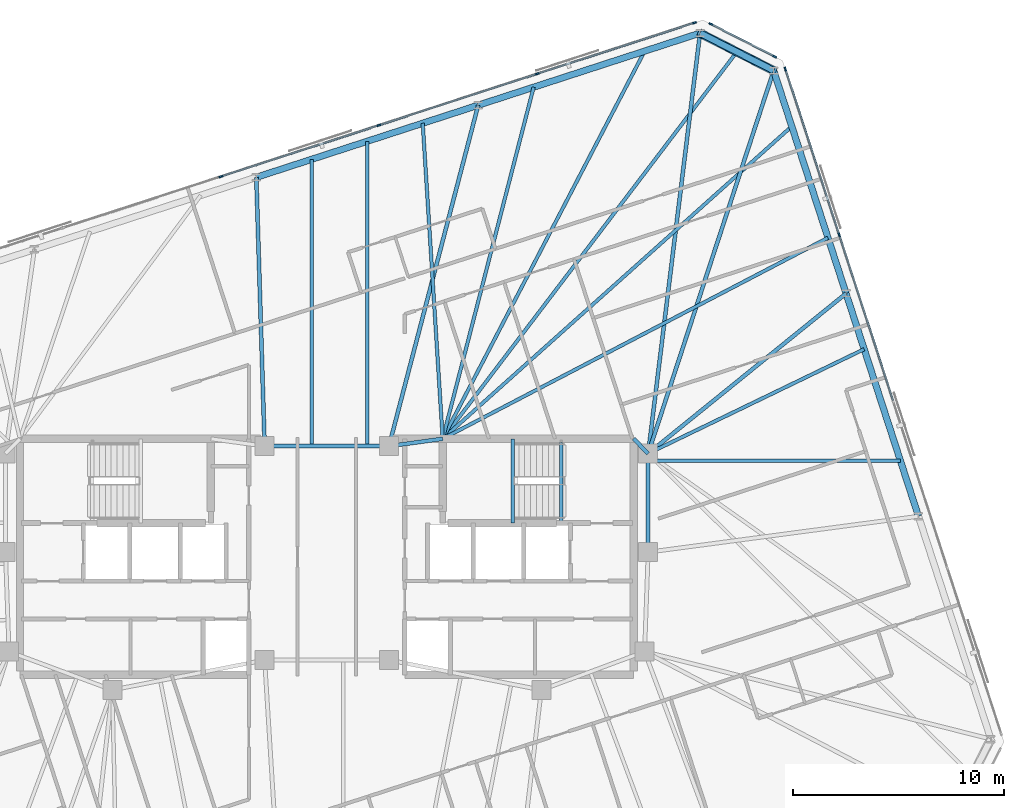
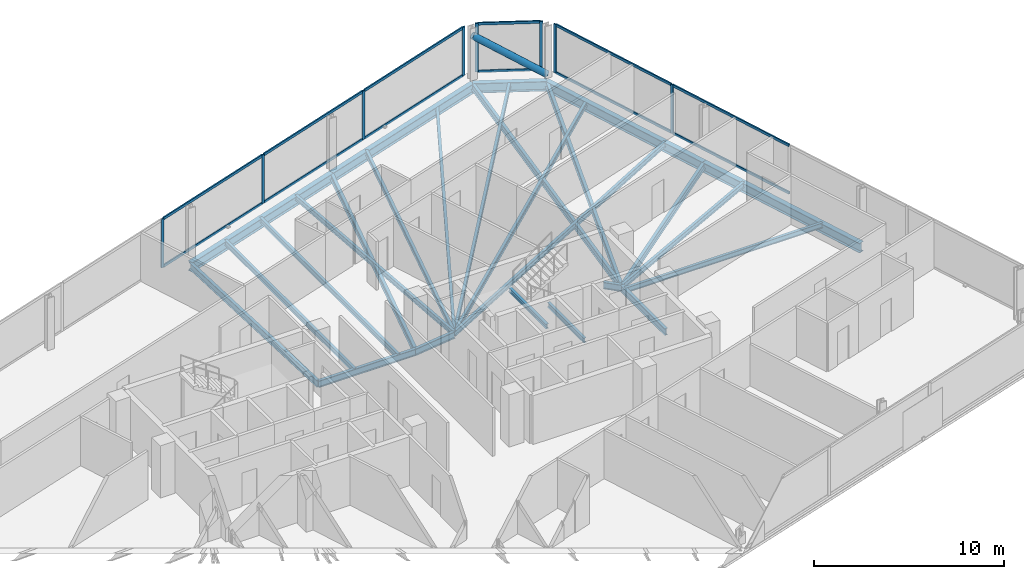
# One storey, part 10 of 19: 26 beams, 21 members, 3 elements without a shape of their own.
"""IFC4 building model written with IfcOpenShell, lengths in metres."""

from ifc_helpers import new_model, si_unit, direction, frame, origin, origin_2d, place, context, subcontext, project, spatial, rectangle, hollow_circle, i_section, extrude, material, material_profile, profile_set, type_object, element, aggregate, save


model = new_model("IFC4")

# Units and contexts
model_context = context("Model", 3, precision=1e-05, world=origin(), true_north=direction((0.0, 1.0)))
body_context = subcontext(model_context, "Body", "Model", "MODEL_VIEW")
ifc_project = project(units=[si_unit("LENGTHUNIT", "METRE"), si_unit("AREAUNIT", "SQUARE_METRE"), si_unit("VOLUMEUNIT", "CUBIC_METRE"), si_unit("PLANEANGLEUNIT", "RADIAN"), si_unit("MASSUNIT", "GRAM", prefix="KILO")], contexts=[model_context])

# Site, building, storey
site_placement = place(None, origin())
site = spatial("IfcSite", under=ifc_project, at=site_placement, CompositionType="ELEMENT")
building_placement = place(site_placement, origin())
building = spatial("IfcBuilding", under=site, at=building_placement, Name="Menara Jurai Vektor", CompositionType="ELEMENT")
storey_placement = place(building_placement, frame((0.0, 0.0, 214.25)))
storey = spatial("IfcBuildingStorey", under=building, at=storey_placement, Name="L56", CompositionType="ELEMENT", Elevation=214.25)

# Curtain wall, members
ifc_material_1 = material(Name="Anodised Pale Aluminium & Low-E Double Glazing", Category="aluminium")
curtain_wall_type = type_object("IfcCurtainWallType", Name="CW-BLK4", PredefinedType="NOTDEFINED", material=ifc_material_1)
curtain_wall_1_placement = place(storey_placement, origin())
curtain_wall_1 = element("IfcCurtainWall", 1, at=curtain_wall_1_placement, inside=storey, type_object=curtain_wall_type, Name="Unitised Curtain Wall L56 F03", PredefinedType="NOTDEFINED")
ifc_material_2 = material(Name="Anodised Pale Aluminium Mullion", Category="aluminium")
ifc_material_profile_1 = material_profile(ifc_material_2, rectangle(XDim=0.080078125, YDim=0.18994140625, at=origin_2d()), Name="ALU MUL 80x190")
ifc_profile_set_1 = profile_set([ifc_material_profile_1], Name="Anodised Pale Aluminium Mullion")
member_type_1 = type_object("IfcMemberType", Name="CW-BLK4-MUL", PredefinedType="MULLION", material=ifc_profile_set_1)
member_1_placement = place(storey_placement, frame((24.31494140625, 15.28271484375, 0.0), z_axis=(0.0, 0.0, 1.0), x_axis=(-0.95105668295, -0.309016481464, 0.0)))
member_1 = element("IfcMember", 2, at=member_1_placement, type_object=member_type_1, Name="CW-04 mullion 4", PredefinedType="MULLION", context=body_context, shape_type="SweptSolid", body=[
    extrude(rectangle(XDim=0.080078125, YDim=0.18994140625, at=origin_2d()), origin(), (0.0, 0.0, 1.0), 3.125),
])
member_2_placement = place(storey_placement, frame((21.75927734375, 23.14794921875, 0.0), z_axis=(0.0, 0.0, 1.0), x_axis=(-0.95105668295, -0.309016481464, 0.0)))
member_2 = element("IfcMember", 3, at=member_2_placement, type_object=member_type_1, Name="CW-04 mullion 5", PredefinedType="MULLION", context=body_context, shape_type="SweptSolid", body=[
    extrude(rectangle(XDim=0.080078125, YDim=0.18994140625, at=origin_2d()), origin(), (0.0, 0.0, 1.0), 3.125),
])

curtain_wall_2_placement = place(storey_placement, origin())
curtain_wall_2 = element("IfcCurtainWall", 4, at=curtain_wall_2_placement, inside=storey, type_object=curtain_wall_type, Name="Unitised Curtain Wall L56 F04", PredefinedType="NOTDEFINED")
member_3_placement = place(storey_placement, frame((21.25537109375, 23.73828125, 0.0), z_axis=(0.0, 0.0, 1.0), x_axis=(-0.453988579828, -0.89100750243, 0.0)))
member_3 = element("IfcMember", 5, at=member_3_placement, type_object=member_type_1, Name="CW-04 mullion 1", PredefinedType="MULLION", context=body_context, shape_type="SweptSolid", body=[
    extrude(rectangle(XDim=0.080078125, YDim=0.18994140625, at=origin_2d()), origin(), (0.0, 0.0, 1.0), 3.125),
])
member_4_placement = place(storey_placement, frame((18.223388671875, 25.282958984375, 0.0), z_axis=(0.0, 0.0, 1.0), x_axis=(-0.453988579828, -0.89100750243, 0.0)))
member_4 = element("IfcMember", 6, at=member_4_placement, type_object=member_type_1, Name="CW-04 mullion 2", PredefinedType="MULLION", context=body_context, shape_type="SweptSolid", body=[
    extrude(rectangle(XDim=0.080078125, YDim=0.18994140625, at=origin_2d()), origin(), (0.0, 0.0, 1.0), 3.125),
])

curtain_wall_3_placement = place(storey_placement, origin())
curtain_wall_3 = element("IfcCurtainWall", 7, at=curtain_wall_3_placement, inside=storey, type_object=curtain_wall_type, Name="Unitised Curtain Wall L56 F05", PredefinedType="NOTDEFINED")
member_5_placement = place(storey_placement, frame((17.44970703125, 25.34375, 0.0), z_axis=(0.0, 0.0, 1.0), x_axis=(0.309017344167, -0.951056402641, 0.0)))
member_5 = element("IfcMember", 8, at=member_5_placement, type_object=member_type_1, Name="CW-04 mullion 1", PredefinedType="MULLION", context=body_context, shape_type="SweptSolid", body=[
    extrude(rectangle(XDim=0.080078125, YDim=0.18994140625, at=origin_2d()), origin(), (0.0, 0.0, 1.0), 3.125),
])
member_6_placement = place(storey_placement, frame((9.982666015625, 22.917724609375, 0.0), z_axis=(0.0, 0.0, 1.0), x_axis=(0.309017344167, -0.951056402641, 0.0)))
member_6 = element("IfcMember", 9, at=member_6_placement, type_object=member_type_1, Name="CW-04 mullion 2", PredefinedType="MULLION", context=body_context, shape_type="SweptSolid", body=[
    extrude(rectangle(XDim=0.080078125, YDim=0.18994140625, at=origin_2d()), origin(), (0.0, 0.0, 1.0), 3.125),
])
member_7_placement = place(storey_placement, frame((2.4775390625, 20.47900390625, 0.0), z_axis=(0.0, 0.0, 1.0), x_axis=(0.309017344167, -0.951056402641, 0.0)))
member_7 = element("IfcMember", 10, at=member_7_placement, type_object=member_type_1, Name="CW-04 mullion 3", PredefinedType="MULLION", context=body_context, shape_type="SweptSolid", body=[
    extrude(rectangle(XDim=0.080078125, YDim=0.18994140625, at=origin_2d()), origin(), (0.0, 0.0, 1.0), 3.125),
])
member_8_placement = place(storey_placement, frame((-5.02783203125, 18.04052734375, 0.0), z_axis=(0.0, 0.0, 1.0), x_axis=(0.309017344167, -0.951056402641, 0.0)))
member_8 = element("IfcMember", 11, at=member_8_placement, type_object=member_type_1, Name="CW-04 mullion 4", PredefinedType="MULLION", context=body_context, shape_type="SweptSolid", body=[
    extrude(rectangle(XDim=0.080078125, YDim=0.18994140625, at=origin_2d()), origin(), (0.0, 0.0, 1.0), 3.125),
])

# Member
ifc_material_3 = material(Name="Anodised Pale Aluminium Transom", Category="aluminium")
ifc_material_profile_2 = material_profile(ifc_material_3, rectangle(XDim=0.080078125, YDim=0.1650390625, at=origin_2d()), Name="ALU TRN 80x165")
ifc_profile_set_2 = profile_set([ifc_material_profile_2], Name="Anodised Pale Aluminium Transom")
member_type_2 = type_object("IfcMemberType", Name="CW-BLK4-TRN", PredefinedType="USERDEFINED", material=ifc_profile_set_2)
member_9_placement = place(storey_placement, frame((26.870361328125, 7.41748046875, 0.0400390625), z_axis=(-0.309010276303, 0.951058699103, 0.0), x_axis=(-0.951058699103, -0.309010276303, 0.0)))
member_9 = element("IfcMember", 12, at=member_9_placement, type_object=member_type_2, Name="CW-04 transom 3.1", ObjectType="TRANSOM", PredefinedType="USERDEFINED", context=body_context, shape_type="SweptSolid", body=[
    extrude(rectangle(XDim=0.080078125, YDim=0.1650390625, at=origin_2d()), origin(), (0.0, 0.0, 1.0), 8.230224609375),
])

member_10_placement = place(storey_placement, frame((26.870361328125, 7.41748046875, 3.0849609375), z_axis=(-0.309010276303, 0.951058699103, 0.0), x_axis=(-0.951058699103, -0.309010276303, 0.0)))
member_10 = element("IfcMember", 13, at=member_10_placement, type_object=member_type_2, Name="CW-04 transom 3.2", ObjectType="TRANSOM", PredefinedType="USERDEFINED", context=body_context, shape_type="SweptSolid", body=[
    extrude(rectangle(XDim=0.080078125, YDim=0.1650390625, at=origin_2d()), origin(), (0.0, 0.0, 1.0), 8.230224609375),
])

member_11_placement = place(storey_placement, frame((24.302490234375, 15.32080078125, 0.0400390625), z_axis=(-0.309001816839, 0.951061447642, 0.0), x_axis=(-0.951061447642, -0.309001816839, 0.0)))
member_11 = element("IfcMember", 14, at=member_11_placement, type_object=member_type_2, Name="CW-04 transom 4.1", ObjectType="TRANSOM", PredefinedType="USERDEFINED", context=body_context, shape_type="SweptSolid", body=[
    extrude(rectangle(XDim=0.080078125, YDim=0.1650390625, at=origin_2d()), origin(), (0.0, 0.0, 1.0), 8.190185546875),
])

member_12_placement = place(storey_placement, frame((24.302490234375, 15.32080078125, 3.0849609375), z_axis=(-0.309001816839, 0.951061447642, 0.0), x_axis=(-0.951061447642, -0.309001816839, 0.0)))
member_12 = element("IfcMember", 15, at=member_12_placement, type_object=member_type_2, Name="CW-04 transom 4.2", ObjectType="TRANSOM", PredefinedType="USERDEFINED", context=body_context, shape_type="SweptSolid", body=[
    extrude(rectangle(XDim=0.080078125, YDim=0.1650390625, at=origin_2d()), origin(), (0.0, 0.0, 1.0), 8.190185546875),
])

aggregate(curtain_wall_1, [member_1, member_2, member_9, member_10, member_11, member_12])

member_13_placement = place(storey_placement, frame((21.2197265625, 23.75634765625, 0.0400390625), z_axis=(-0.89100697374, 0.453989617444, 0.0), x_axis=(-0.453989617444, -0.89100697374, 0.0)))
member_13 = element("IfcMember", 16, at=member_13_placement, type_object=member_type_2, Name="CW-04 transom 1.1", ObjectType="TRANSOM", PredefinedType="USERDEFINED", context=body_context, shape_type="SweptSolid", body=[
    extrude(rectangle(XDim=0.080078125, YDim=0.1650390625, at=origin_2d()), origin(), (0.0, 0.0, 1.0), 3.32275390625),
])

member_14_placement = place(storey_placement, frame((21.2197265625, 23.75634765625, 3.0849609375), z_axis=(-0.89100697374, 0.453989617444, 0.0), x_axis=(-0.453989617444, -0.89100697374, 0.0)))
member_14 = element("IfcMember", 17, at=member_14_placement, type_object=member_type_2, Name="CW-04 transom 1.2", ObjectType="TRANSOM", PredefinedType="USERDEFINED", context=body_context, shape_type="SweptSolid", body=[
    extrude(rectangle(XDim=0.080078125, YDim=0.1650390625, at=origin_2d()), origin(), (0.0, 0.0, 1.0), 3.32275390625),
])

aggregate(curtain_wall_2, [member_3, member_4, member_13, member_14])

member_15_placement = place(storey_placement, frame((17.41162109375, 25.33154296875, 0.0400390625), z_axis=(-0.951049997348, -0.309037056912, 0.0), x_axis=(0.309037056912, -0.951049997348, 0.0)))
member_15 = element("IfcMember", 18, at=member_15_placement, type_object=member_type_2, Name="CW-04 transom 1.1", ObjectType="TRANSOM", PredefinedType="USERDEFINED", context=body_context, shape_type="SweptSolid", body=[
    extrude(rectangle(XDim=0.080078125, YDim=0.1650390625, at=origin_2d()), origin(), (0.0, 0.0, 1.0), 7.771240234375),
])

member_16_placement = place(storey_placement, frame((17.41162109375, 25.33154296875, 3.0849609375), z_axis=(-0.951049997348, -0.309037056912, 0.0), x_axis=(0.309037056912, -0.951049997348, 0.0)))
member_16 = element("IfcMember", 19, at=member_16_placement, type_object=member_type_2, Name="CW-04 transom 1.2", ObjectType="TRANSOM", PredefinedType="USERDEFINED", context=body_context, shape_type="SweptSolid", body=[
    extrude(rectangle(XDim=0.080078125, YDim=0.1650390625, at=origin_2d()), origin(), (0.0, 0.0, 1.0), 7.771240234375),
])

member_17_placement = place(storey_placement, frame((9.944580078125, 22.9052734375, 0.0400390625), z_axis=(-0.951059330237, -0.309008333817, 0.0), x_axis=(0.309008333817, -0.951059330237, 0.0)))
member_17 = element("IfcMember", 20, at=member_17_placement, type_object=member_type_2, Name="CW-04 transom 2.1", ObjectType="TRANSOM", PredefinedType="USERDEFINED", context=body_context, shape_type="SweptSolid", body=[
    extrude(rectangle(XDim=0.080078125, YDim=0.1650390625, at=origin_2d()), origin(), (0.0, 0.0, 1.0), 7.8115234375),
])

member_18_placement = place(storey_placement, frame((9.944580078125, 22.9052734375, 3.0849609375), z_axis=(-0.951059330237, -0.309008333817, 0.0), x_axis=(0.309008333817, -0.951059330237, 0.0)))
member_18 = element("IfcMember", 21, at=member_18_placement, type_object=member_type_2, Name="CW-04 transom 2.2", ObjectType="TRANSOM", PredefinedType="USERDEFINED", context=body_context, shape_type="SweptSolid", body=[
    extrude(rectangle(XDim=0.080078125, YDim=0.1650390625, at=origin_2d()), origin(), (0.0, 0.0, 1.0), 7.8115234375),
])

member_19_placement = place(storey_placement, frame((2.439453125, 20.466552734375, 0.0400390625), z_axis=(-0.951059330237, -0.309008333817, 0.0), x_axis=(0.309008333817, -0.951059330237, 0.0)))
member_19 = element("IfcMember", 22, at=member_19_placement, type_object=member_type_2, Name="CW-04 transom 3.1", ObjectType="TRANSOM", PredefinedType="USERDEFINED", context=body_context, shape_type="SweptSolid", body=[
    extrude(rectangle(XDim=0.080078125, YDim=0.1650390625, at=origin_2d()), origin(), (0.0, 0.0, 1.0), 7.8115234375),
])

member_20_placement = place(storey_placement, frame((2.439453125, 20.466552734375, 3.0849609375), z_axis=(-0.951059330237, -0.309008333817, 0.0), x_axis=(0.309008333817, -0.951059330237, 0.0)))
member_20 = element("IfcMember", 23, at=member_20_placement, type_object=member_type_2, Name="CW-04 transom 3.2", ObjectType="TRANSOM", PredefinedType="USERDEFINED", context=body_context, shape_type="SweptSolid", body=[
    extrude(rectangle(XDim=0.080078125, YDim=0.1650390625, at=origin_2d()), origin(), (0.0, 0.0, 1.0), 7.8115234375),
])

aggregate(curtain_wall_3, [member_5, member_6, member_7, member_8, member_15, member_16, member_17, member_18, member_19, member_20])

# Beams
ifc_material_4 = material(Name="Steel S355", Category="steel")
ifc_material_profile_3 = material_profile(ifc_material_4, i_section(OverallWidth=0.18505859375, OverallDepth=0.429931640625, WebThickness=0.010986328125, FlangeThickness=0.01806640625, at=origin_2d()), Name="PG 430x185x76")
ifc_profile_set_3 = profile_set([ifc_material_profile_3], Name="Steel S355")
beam_type_1 = type_object("IfcBeamType", Name="STR-BM-430", PredefinedType="BEAM", material=ifc_profile_set_3)
beam_1_placement = place(storey_placement, frame((2.949951171875, 5.25, -0.43994140625), z_axis=(0.990706818608, 0.136014703483, 0.0), x_axis=(-0.136014703483, 0.990706818608, 0.0)))
element("IfcBeam", 24, at=beam_1_placement, inside=storey, type_object=beam_type_1, Name="Core Ring Header Girder L56-CHE-N1", PredefinedType="BEAM", context=body_context, shape_type="SweptSolid", body=[
    extrude(i_section(OverallWidth=0.18505859375, OverallDepth=0.429931640625, WebThickness=0.010986328125, FlangeThickness=0.01806640625, at=origin_2d()), origin(), (0.0, 0.0, 1.0), 2.573974609375),
])
beam_2_placement = place(storey_placement, frame((14.56005859375, 5.60009765625, -0.43994140625), z_axis=(0.701871936926, -0.712303154672, 0.0), x_axis=(0.712303154672, 0.701871936926, 0.0)))
element("IfcBeam", 25, at=beam_2_placement, inside=storey, type_object=beam_type_1, Name="Core Ring Header Girder L56-CHE-N2", PredefinedType="BEAM", context=body_context, shape_type="SweptSolid", body=[
    extrude(i_section(OverallWidth=0.18505859375, OverallDepth=0.429931640625, WebThickness=0.010986328125, FlangeThickness=0.01806640625, at=origin_2d()), origin(), (0.0, 0.0, 1.0), 0.98291015625),
])
beam_3_placement = place(storey_placement, frame((15.25, 0.219970703125, -0.43994140625), z_axis=(0.0, 1.0, 0.0), x_axis=(-1.0, 0.0, 0.0)))
element("IfcBeam", 26, at=beam_3_placement, inside=storey, type_object=beam_type_1, Name="Core Ring Header Girder L56-CHE-E1", PredefinedType="BEAM", context=body_context, shape_type="SweptSolid", body=[
    extrude(i_section(OverallWidth=0.18505859375, OverallDepth=0.429931640625, WebThickness=0.010986328125, FlangeThickness=0.01806640625, at=origin_2d()), origin(), (0.0, 0.0, 1.0), 4.679931640625),
])
beam_4_placement = place(storey_placement, frame((-2.949951171875, 5.25, -0.43994140625), z_axis=(1.0, 0.0, 0.0), x_axis=(0.0, 1.0, 0.0)))
element("IfcBeam", 27, at=beam_4_placement, inside=storey, type_object=beam_type_1, Name="Core Ring Header Girder L56-CC-2", PredefinedType="BEAM", context=body_context, shape_type="SweptSolid", body=[
    extrude(i_section(OverallWidth=0.18505859375, OverallDepth=0.429931640625, WebThickness=0.010986328125, FlangeThickness=0.01806640625, at=origin_2d()), origin(), (0.0, 0.0, 1.0), 5.89990234375),
])
beam_5_placement = place(storey_placement, frame((24.641845703125, 12.496826171875, -0.43994140625), z_axis=(-0.777487674144, -0.628898176619, 0.0), x_axis=(0.628898176619, -0.777487674144, 0.0)))
element("IfcBeam", 28, at=beam_5_placement, inside=storey, type_object=beam_type_1, Name="Radial Floor Girder L56-E3", PredefinedType="BEAM", context=body_context, shape_type="SweptSolid", body=[
    extrude(i_section(OverallWidth=0.18505859375, OverallDepth=0.429931640625, WebThickness=0.010986328125, FlangeThickness=0.01806640625, at=origin_2d()), origin(), (0.0, 0.0, 1.0), 12.079833984375),
])
beam_6_placement = place(storey_placement, frame((21.205810546875, 23.071044921875, -0.43994140625), z_axis=(-0.311459010005, -0.950259588263, 0.0), x_axis=(0.950259588263, -0.311459010005, 0.0)))
element("IfcBeam", 29, at=beam_6_placement, inside=storey, type_object=beam_type_1, Name="Radial Floor Girder L56-E4", PredefinedType="BEAM", context=body_context, shape_type="SweptSolid", body=[
    extrude(i_section(OverallWidth=0.18505859375, OverallDepth=0.429931640625, WebThickness=0.010986328125, FlangeThickness=0.01806640625, at=origin_2d()), origin(), (0.0, 0.0, 1.0), 19.122314453125),
])
beam_7_placement = place(storey_placement, frame((17.712890625, 24.85107421875, -0.43994140625), z_axis=(-0.122515938756, -0.99246654591, 0.0), x_axis=(0.99246654591, -0.122515938756, 0.0)))
element("IfcBeam", 30, at=beam_7_placement, inside=storey, type_object=beam_type_1, Name="Radial Floor Girder L56-N1", PredefinedType="BEAM", context=body_context, shape_type="SweptSolid", body=[
    extrude(i_section(OverallWidth=0.18505859375, OverallDepth=0.429931640625, WebThickness=0.010986328125, FlangeThickness=0.01806640625, at=origin_2d()), origin(), (0.0, 0.0, 1.0), 20.1025390625),
])
beam_8_placement = place(storey_placement, frame((7.18359375, 21.4296875, -0.43994140625), z_axis=(-0.253141463003, -0.96742927375, 0.0), x_axis=(0.96742927375, -0.253141463003, 0.0)))
element("IfcBeam", 31, at=beam_8_placement, inside=storey, type_object=beam_type_1, Name="Radial Floor Girder L56-N2", PredefinedType="BEAM", context=body_context, shape_type="SweptSolid", body=[
    extrude(i_section(OverallWidth=0.18505859375, OverallDepth=0.429931640625, WebThickness=0.010986328125, FlangeThickness=0.01806640625, at=origin_2d()), origin(), (0.0, 0.0, 1.0), 16.724365234375),
])
beam_9_placement = place(storey_placement, frame((-3.345703125, 18.008544921875, -0.43994140625), z_axis=(0.031003668991, -0.999519270704, 0.0), x_axis=(0.999519270704, 0.031003668991, 0.0)))
element("IfcBeam", 32, at=beam_9_placement, inside=storey, type_object=beam_type_1, Name="Radial Floor Girder L56-N3", PredefinedType="BEAM", context=body_context, shape_type="SweptSolid", body=[
    extrude(i_section(OverallWidth=0.18505859375, OverallDepth=0.429931640625, WebThickness=0.010986328125, FlangeThickness=0.01806640625, at=origin_2d()), origin(), (0.0, 0.0, 1.0), 12.7646484375),
])

# Member
ifc_material_5 = material(Name="Steel S460", Category="steel")
ifc_material_profile_4 = material_profile(ifc_material_5, hollow_circle(Radius=0.203125, WallThickness=0.01611328125, at=origin_2d()), Name="CHS 406.4x16")
ifc_profile_set_4 = profile_set([ifc_material_profile_4], Name="Steel S460")
member_type_3 = type_object("IfcMemberType", Name="STR-BR-406", PredefinedType="BRACE", material=ifc_profile_set_4)
member_21_placement = place(storey_placement, frame((21.2060546875, 23.071044921875, 0.14990234375), z_axis=(-0.740360915323, 0.377269459996, 0.556357321886), x_axis=(-0.454025593397, -0.890988642206, 0.0)))
element("IfcMember", 33, at=member_21_placement, inside=storey, type_object=member_type_3, Name="Exoskeleton Corner Brace L56-2", PredefinedType="BRACE", context=body_context, shape_type="SweptSolid", body=[
    extrude(hollow_circle(Radius=0.203125, WallThickness=0.01611328125, at=origin_2d()), origin(), (0.0, 0.0, 1.0), 4.71826171875),
])

# Beams
ifc_material_profile_5 = material_profile(ifc_material_4, i_section(OverallWidth=0.1650390625, OverallDepth=0.330078125, WebThickness=0.009033203125, FlangeThickness=0.013916015625, at=origin_2d()), Name="PG 330x165x46")
ifc_profile_set_5 = profile_set([ifc_material_profile_5], Name="Steel S355")
beam_type_2 = type_object("IfcBeamType", Name="STR-JS-330", PredefinedType="JOIST", material=ifc_profile_set_5)
beam_10_placement = place(storey_placement, frame((27.218505859375, 4.56591796875, -0.389892578125), z_axis=(-1.0, 0.0, 0.0), x_axis=(0.0, -1.0, 0.0)))
element("IfcBeam", 34, at=beam_10_placement, inside=storey, type_object=beam_type_2, Name="Radial Secondary Floor Joist L56-JS11", PredefinedType="JOIST", context=body_context, shape_type="SweptSolid", body=[
    extrude(i_section(OverallWidth=0.1650390625, OverallDepth=0.330078125, WebThickness=0.009033203125, FlangeThickness=0.013916015625, at=origin_2d()), origin(), (0.0, 0.0, 1.0), 11.968505859375),
])
beam_11_placement = place(storey_placement, frame((25.500732421875, 9.853271484375, -0.389892578125), z_axis=(-0.900388578627, -0.435086666629, 0.0), x_axis=(0.435086666629, -0.900388578627, 0.0)))
element("IfcBeam", 35, at=beam_11_placement, inside=storey, type_object=beam_type_2, Name="Radial Secondary Floor Joist L56-JS12", PredefinedType="JOIST", context=body_context, shape_type="SweptSolid", body=[
    extrude(i_section(OverallWidth=0.1650390625, OverallDepth=0.330078125, WebThickness=0.009033203125, FlangeThickness=0.013916015625, at=origin_2d()), origin(), (0.0, 0.0, 1.0), 11.384765625),
])
beam_12_placement = place(storey_placement, frame((23.78271484375, 15.140380859375, -0.389892578125), z_axis=(-0.886555502614, -0.462622244153, 0.0), x_axis=(0.462622244153, -0.886555502614, 0.0)))
element("IfcBeam", 36, at=beam_12_placement, inside=storey, type_object=beam_type_2, Name="Radial Secondary Floor Joist L56-JS13", PredefinedType="JOIST", context=body_context, shape_type="SweptSolid", body=[
    extrude(i_section(OverallWidth=0.1650390625, OverallDepth=0.330078125, WebThickness=0.009033203125, FlangeThickness=0.013916015625, at=origin_2d()), origin(), (0.0, 0.0, 1.0), 20.6220703125),
])
beam_13_placement = place(storey_placement, frame((22.06494140625, 20.427490234375, -0.389892578125), z_axis=(-0.745104297608, -0.666947963252, 0.0), x_axis=(0.666947963252, -0.745104297608, 0.0)))
element("IfcBeam", 37, at=beam_13_placement, inside=storey, type_object=beam_type_2, Name="Radial Secondary Floor Joist L56-JS14", PredefinedType="JOIST", context=body_context, shape_type="SweptSolid", body=[
    extrude(i_section(OverallWidth=0.1650390625, OverallDepth=0.330078125, WebThickness=0.009033203125, FlangeThickness=0.013916015625, at=origin_2d()), origin(), (0.0, 0.0, 1.0), 22.231689453125),
])
beam_14_placement = place(storey_placement, frame((19.45947265625, 23.9609375, -0.389892578125), z_axis=(-0.605227110118, -0.796052853257, 0.0), x_axis=(0.796052853257, -0.605227110118, 0.0)))
element("IfcBeam", 38, at=beam_14_placement, inside=storey, type_object=beam_type_2, Name="Radial Secondary Floor Joist L56-JS15", PredefinedType="JOIST", context=body_context, shape_type="SweptSolid", body=[
    extrude(i_section(OverallWidth=0.1650390625, OverallDepth=0.330078125, WebThickness=0.009033203125, FlangeThickness=0.013916015625, at=origin_2d()), origin(), (0.0, 0.0, 1.0), 23.06494140625),
])
beam_15_placement = place(storey_placement, frame((15.08056640625, 23.99560546875, -0.389892578125), z_axis=(-0.461918215026, -0.886922523464, 0.0), x_axis=(0.886922523464, -0.461918215026, 0.0)))
element("IfcBeam", 39, at=beam_15_placement, inside=storey, type_object=beam_type_2, Name="Radial Secondary Floor Joist L56-JS16", PredefinedType="JOIST", context=body_context, shape_type="SweptSolid", body=[
    extrude(i_section(OverallWidth=0.1650390625, OverallDepth=0.330078125, WebThickness=0.009033203125, FlangeThickness=0.013916015625, at=origin_2d()), origin(), (0.0, 0.0, 1.0), 20.74072265625),
])
beam_16_placement = place(storey_placement, frame((9.81591796875, 22.28515625, -0.389892578125), z_axis=(-0.250427234151, -0.968135424616, 0.0), x_axis=(0.968135424616, -0.250427234151, 0.0)))
element("IfcBeam", 40, at=beam_16_placement, inside=storey, type_object=beam_type_2, Name="Radial Secondary Floor Joist L56-JS17", PredefinedType="JOIST", context=body_context, shape_type="SweptSolid", body=[
    extrude(i_section(OverallWidth=0.1650390625, OverallDepth=0.330078125, WebThickness=0.009033203125, FlangeThickness=0.013916015625, at=origin_2d()), origin(), (0.0, 0.0, 1.0), 17.234130859375),
])
beam_17_placement = place(storey_placement, frame((4.55126953125, 20.574462890625, -0.389892578125), z_axis=(0.063230194737, -0.997998969175, 0.0), x_axis=(0.997998969175, 0.063230194737, 0.0)))
element("IfcBeam", 41, at=beam_17_placement, inside=storey, type_object=beam_type_2, Name="Radial Secondary Floor Joist L56-JS18", PredefinedType="JOIST", context=body_context, shape_type="SweptSolid", body=[
    extrude(i_section(OverallWidth=0.1650390625, OverallDepth=0.330078125, WebThickness=0.009033203125, FlangeThickness=0.013916015625, at=origin_2d()), origin(), (0.0, 0.0, 1.0), 15.00439453125),
])
beam_18_placement = place(storey_placement, frame((1.9189453125, 19.71923828125, -0.389892578125), z_axis=(0.0, -1.0, 0.0), x_axis=(1.0, 0.0, 0.0)))
element("IfcBeam", 42, at=beam_18_placement, inside=storey, type_object=beam_type_2, Name="Radial Secondary Floor Joist L56-JS19", PredefinedType="JOIST", context=body_context, shape_type="SweptSolid", body=[
    extrude(i_section(OverallWidth=0.1650390625, OverallDepth=0.330078125, WebThickness=0.009033203125, FlangeThickness=0.013916015625, at=origin_2d()), origin(), (0.0, 0.0, 1.0), 14.46923828125),
])
beam_19_placement = place(storey_placement, frame((-0.71337890625, 18.864013671875, -0.389892578125), z_axis=(0.0, -1.0, 0.0), x_axis=(1.0, 0.0, 0.0)))
element("IfcBeam", 43, at=beam_19_placement, inside=storey, type_object=beam_type_2, Name="Radial Secondary Floor Joist L56-JS20", PredefinedType="JOIST", context=body_context, shape_type="SweptSolid", body=[
    extrude(i_section(OverallWidth=0.1650390625, OverallDepth=0.330078125, WebThickness=0.009033203125, FlangeThickness=0.013916015625, at=origin_2d()), origin(), (0.0, 0.0, 1.0), 13.614013671875),
])
ifc_material_profile_6 = material_profile(ifc_material_4, i_section(OverallWidth=0.1650390625, OverallDepth=0.302978515625, WebThickness=0.006103515625, FlangeThickness=0.010009765625, FilletRadius=0.009033203125, at=origin_2d()), Name="UKB 305x165x40")
ifc_profile_set_6 = profile_set([ifc_material_profile_6], Name="Steel S355")
beam_type_3 = type_object("IfcBeamType", Name="STR-LN-305", PredefinedType="LINTEL", material=ifc_profile_set_6)
beam_20_placement = place(storey_placement, frame((11.1201171875, 1.60009765625, -0.37646484375), z_axis=(0.0, 1.0, 0.0), x_axis=(-1.0, 0.0, 0.0)))
element("IfcBeam", 44, at=beam_20_placement, inside=storey, type_object=beam_type_3, Name="Stair Well Floor Trimmer ST2 L56", PredefinedType="LINTEL", context=body_context, shape_type="SweptSolid", body=[
    extrude(i_section(OverallWidth=0.1650390625, OverallDepth=0.302978515625, WebThickness=0.006103515625, FlangeThickness=0.010009765625, FilletRadius=0.009033203125, at=origin_2d()), origin(), (0.0, 0.0, 1.0), 3.81982421875),
])
beam_21_placement = place(storey_placement, frame((8.830078125, 1.60009765625, 1.323486328125), z_axis=(0.0, 1.0, 0.0), x_axis=(-1.0, 0.0, 0.0)))
element("IfcBeam", 45, at=beam_21_placement, inside=storey, type_object=beam_type_3, Name="Stair Half-Landing Nosing Trimmer ST2-1 L56", PredefinedType="LINTEL", context=body_context, shape_type="SweptSolid", body=[
    extrude(i_section(OverallWidth=0.1650390625, OverallDepth=0.302978515625, WebThickness=0.006103515625, FlangeThickness=0.010009765625, FilletRadius=0.009033203125, at=origin_2d()), origin(), (0.0, 0.0, 1.0), 4.0),
])
ifc_material_profile_7 = material_profile(ifc_material_4, i_section(OverallWidth=0.306884765625, OverallDepth=0.6201171875, WebThickness=0.013916015625, FlangeThickness=0.02392578125, FilletRadius=0.01708984375, at=origin_2d()), Name="UKB 610x305x179")
ifc_profile_set_7 = profile_set([ifc_material_profile_7], Name="Steel S355")
beam_type_4 = type_object("IfcBeamType", Name="STR-SP-610", PredefinedType="SPANDREL", material=ifc_profile_set_7)
beam_22_placement = place(storey_placement, frame((28.07763671875, 1.92236328125, -0.534912109375), z_axis=(-0.309012092614, 0.95105810896, 0.0), x_axis=(-0.95105810896, -0.309012092614, 0.0)))
element("IfcBeam", 46, at=beam_22_placement, inside=storey, type_object=beam_type_4, Name="Exoskeleton Spandrel Beam L56-08", PredefinedType="SPANDREL", context=body_context, shape_type="SweptSolid", body=[
    extrude(i_section(OverallWidth=0.306884765625, OverallDepth=0.6201171875, WebThickness=0.013916015625, FlangeThickness=0.02392578125, FilletRadius=0.01708984375, at=origin_2d()), origin(), (0.0, 0.0, 1.0), 11.11865234375),
])
beam_23_placement = place(storey_placement, frame((24.641845703125, 12.496826171875, -0.534912109375), z_axis=(-0.309038407092, 0.951049558615, 0.0), x_axis=(-0.951049558615, -0.309038407092, 0.0)))
element("IfcBeam", 47, at=beam_23_placement, inside=storey, type_object=beam_type_4, Name="Exoskeleton Spandrel Beam L56-09", PredefinedType="SPANDREL", context=body_context, shape_type="SweptSolid", body=[
    extrude(i_section(OverallWidth=0.306884765625, OverallDepth=0.6201171875, WebThickness=0.013916015625, FlangeThickness=0.02392578125, FilletRadius=0.01708984375, at=origin_2d()), origin(), (0.0, 0.0, 1.0), 11.118408203125),
])
beam_24_placement = place(storey_placement, frame((21.205810546875, 23.071044921875, -0.534912109375), z_axis=(-0.890975804423, 0.454050785633, 0.0), x_axis=(-0.454050785633, -0.890975804423, 0.0)))
element("IfcBeam", 48, at=beam_24_placement, inside=storey, type_object=beam_type_4, Name="Exoskeleton Spandrel Beam L56-10", PredefinedType="SPANDREL", context=body_context, shape_type="SweptSolid", body=[
    extrude(i_section(OverallWidth=0.306884765625, OverallDepth=0.6201171875, WebThickness=0.013916015625, FlangeThickness=0.02392578125, FilletRadius=0.01708984375, at=origin_2d()), origin(), (0.0, 0.0, 1.0), 3.92041015625),
])
beam_25_placement = place(storey_placement, frame((17.712890625, 24.85107421875, -0.534912109375), z_axis=(-0.951050920942, -0.309034214572, 0.0), x_axis=(0.309034214572, -0.951050920942, 0.0)))
element("IfcBeam", 49, at=beam_25_placement, inside=storey, type_object=beam_type_4, Name="Exoskeleton Spandrel Beam L56-11", PredefinedType="SPANDREL", context=body_context, shape_type="SweptSolid", body=[
    extrude(i_section(OverallWidth=0.306884765625, OverallDepth=0.6201171875, WebThickness=0.013916015625, FlangeThickness=0.02392578125, FilletRadius=0.01708984375, at=origin_2d()), origin(), (0.0, 0.0, 1.0), 11.0712890625),
])
beam_26_placement = place(storey_placement, frame((7.18359375, 21.4296875, -0.534912109375), z_axis=(-0.951057401967, -0.309014268544, 0.0), x_axis=(0.309014268544, -0.951057401967, 0.0)))
element("IfcBeam", 50, at=beam_26_placement, inside=storey, type_object=beam_type_4, Name="Exoskeleton Spandrel Beam L56-12", PredefinedType="SPANDREL", context=body_context, shape_type="SweptSolid", body=[
    extrude(i_section(OverallWidth=0.306884765625, OverallDepth=0.6201171875, WebThickness=0.013916015625, FlangeThickness=0.02392578125, FilletRadius=0.01708984375, at=origin_2d()), origin(), (0.0, 0.0, 1.0), 11.071044921875),
])

save(model, "model.ifc")
